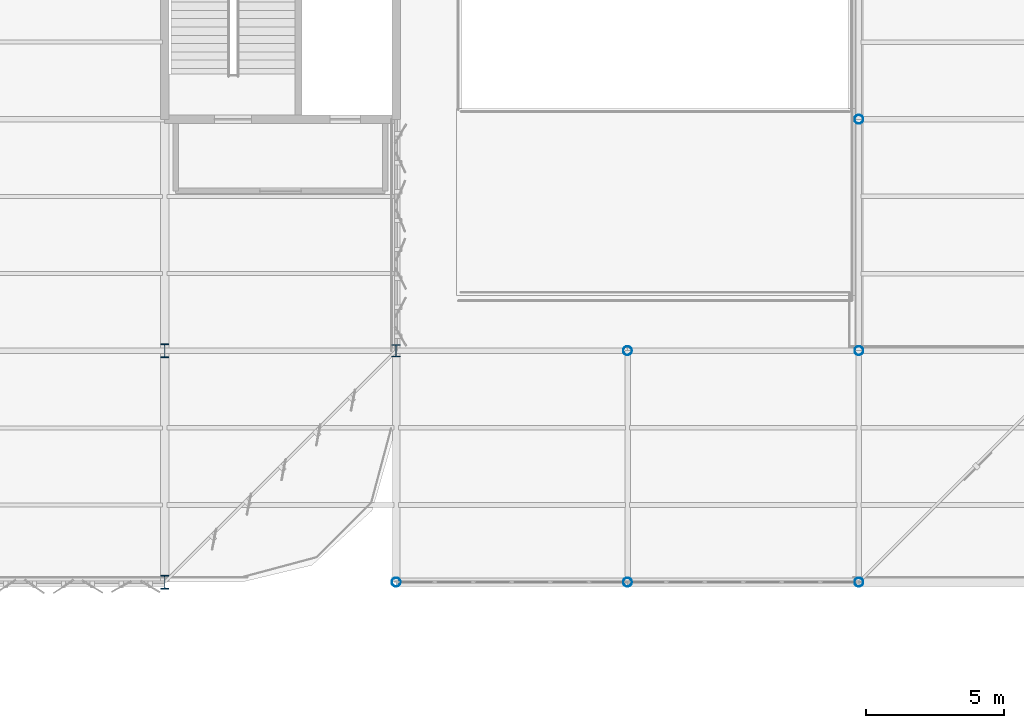
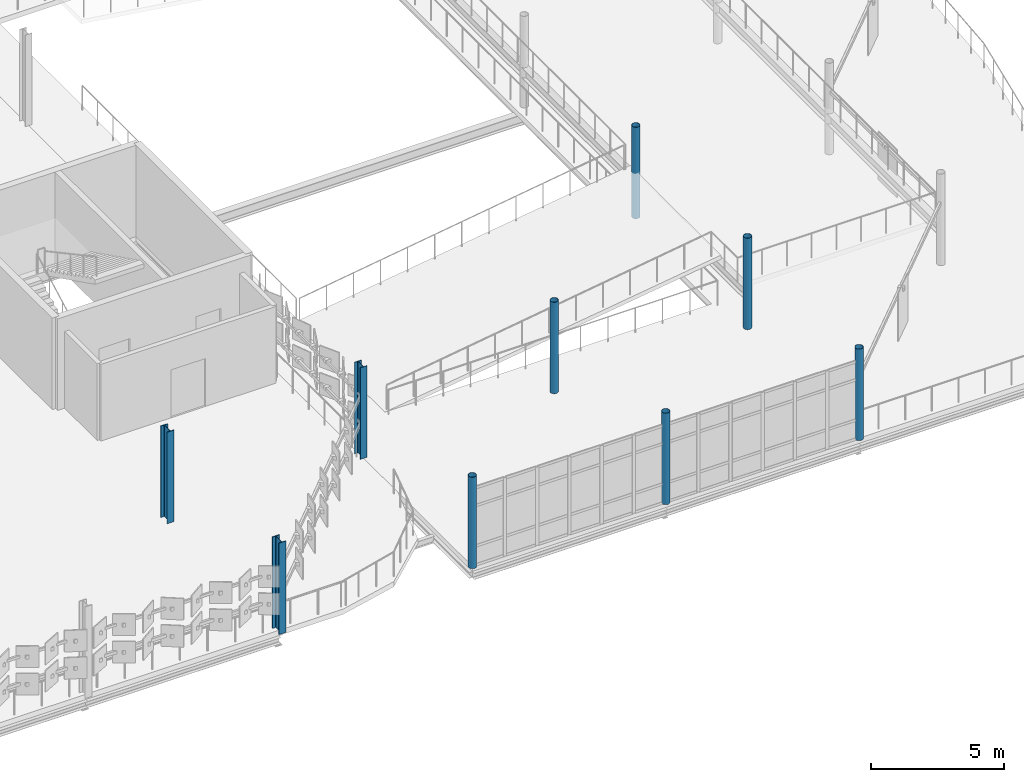
# One storey, part 11 of 69: 9 columns.
"""IFC4 building model written with IfcOpenShell, lengths in metres."""

from ifc_helpers import new_model, si_unit, direction, frame, origin, origin_2d, place, context, subcontext, project, spatial, hollow_circle, i_section, extrude, material, material_profile, profile_set, type_object, element, save


model = new_model("IFC4")

# Units and contexts
model_context = context("Model", 3, precision=1e-05, world=origin(), true_north=direction((0.0, 1.0)))
body_context = subcontext(model_context, "Body", "Model", "MODEL_VIEW")
ifc_project = project(units=[si_unit("LENGTHUNIT", "METRE"), si_unit("AREAUNIT", "SQUARE_METRE"), si_unit("VOLUMEUNIT", "CUBIC_METRE"), si_unit("PLANEANGLEUNIT", "RADIAN"), si_unit("MASSUNIT", "GRAM", prefix="KILO")], contexts=[model_context])

# Site, building, storey
site_placement = place(None, origin())
site = spatial("IfcSite", under=ifc_project, at=site_placement, CompositionType="ELEMENT")
building_placement = place(site_placement, origin())
building = spatial("IfcBuilding", under=site, at=building_placement, Name="Qalvenar Corner Mobility Hub", CompositionType="ELEMENT")
storey_placement = place(building_placement, frame((0.0, 0.0, 13.199951171875)))
storey = spatial("IfcBuildingStorey", under=building, at=storey_placement, Name="L03", CompositionType="ELEMENT", Elevation=13.199951171875)

# Columns
ifc_material = material(Name="Steel S355", Category="steel")
ifc_material_profile_1 = material_profile(ifc_material, hollow_circle(Radius=0.161865234375, WallThickness=0.010009765625, at=origin_2d()), Name="CHS323.9x10")
ifc_profile_set_1 = profile_set([ifc_material_profile_1], Name="Steel S355")
column_type_1 = type_object("IfcColumnType", Name="COL-CHS323", PredefinedType="COLUMN", material=ifc_profile_set_1)
for number, where, z_axis, x_axis, name in (
    (1, (142.800048828125, 67.199951171875, 0.0), (0.0, 0.0, 1.0), (1.0, 0.0, 0.0), "Steel Column L03-G18-8"),
    (2, (151.199951171875, 67.199951171875, 0.0), (0.0, 0.0, 1.0), (1.0, 0.0, 0.0), "Steel Column L03-G19-8"),
    (3, (151.199951171875, 75.60009765625, 0.0), (0.0, 0.0, 1.0), (1.0, 0.0, 0.0), "Steel Column L03-G19-9"),
    (4, (159.60009765625, 67.199951171875, 0.0), (0.0, 0.0, 1.0), (1.0, 0.0, 0.0), "Steel Column L03-G20-8"),
    (5, (159.60009765625, 75.60009765625, 0.0), (0.0, 0.0, 1.0), (1.0, 0.0, 0.0), "Steel Column L03-G20-9"),
    (6, (159.60009765625, 84.0, 0.0), (0.0, 0.0, 1.0), (1.0, 0.0, 0.0), "Steel Column L03-G20-10"),
):
    element("IfcColumn", number, at=place(storey_placement, frame(where, z_axis=z_axis, x_axis=x_axis)), inside=storey, type_object=column_type_1, Name=name, PredefinedType="COLUMN", context=body_context, shape_type="SweptSolid", body=[
        extrude(hollow_circle(Radius=0.161865234375, WallThickness=0.010009765625, at=origin_2d()), origin(), (0.0, 0.0, 1.0), 4.199951171875),
    ])
ifc_material_profile_2 = material_profile(ifc_material, i_section(OverallWidth=0.300048828125, OverallDepth=0.449951171875, WebThickness=0.013916015625, FlangeThickness=0.02587890625, FilletRadius=0.027099609375, at=origin_2d()), Name="HEB450")
ifc_profile_set_2 = profile_set([ifc_material_profile_2], Name="Steel S355")
column_type_2 = type_object("IfcColumnType", Name="COL-HEB450", PredefinedType="COLUMN", material=ifc_profile_set_2)
column_placement = place(storey_placement, frame((142.800048828125, 75.60009765625, 0.0), z_axis=(0.0, 0.0, 1.0), x_axis=(1.0, 0.0, 0.0)))
element("IfcColumn", 7, at=column_placement, inside=storey, type_object=column_type_2, Name="Steel Column L03-G18-9", PredefinedType="COLUMN", context=body_context, shape_type="SweptSolid", body=[
    extrude(i_section(OverallWidth=0.300048828125, OverallDepth=0.449951171875, WebThickness=0.013916015625, FlangeThickness=0.02587890625, FilletRadius=0.027099609375, at=origin_2d()), origin(), (0.0, 0.0, 1.0), 4.199951171875),
])
ifc_material_profile_3 = material_profile(ifc_material, i_section(OverallWidth=0.300048828125, OverallDepth=0.5, WebThickness=0.014404296875, FlangeThickness=0.028076171875, FilletRadius=0.027099609375, at=origin_2d()), Name="HEB500")
ifc_profile_set_3 = profile_set([ifc_material_profile_3], Name="Steel S355")
column_type_3 = type_object("IfcColumnType", Name="COL-HEB500", PredefinedType="COLUMN", material=ifc_profile_set_3)
for number, where, z_axis, x_axis, name in (
    (8, (134.39990234375, 67.199951171875, 0.0), (0.0, 0.0, 1.0), (1.0, 0.0, 0.0), "Steel Column L03-G17-8"),
    (9, (134.39990234375, 75.60009765625, 0.0), (0.0, 0.0, 1.0), (1.0, 0.0, 0.0), "Steel Column L03-G17-9"),
):
    element("IfcColumn", number, at=place(storey_placement, frame(where, z_axis=z_axis, x_axis=x_axis)), inside=storey, type_object=column_type_3, Name=name, PredefinedType="COLUMN", context=body_context, shape_type="SweptSolid", body=[
        extrude(i_section(OverallWidth=0.300048828125, OverallDepth=0.5, WebThickness=0.014404296875, FlangeThickness=0.028076171875, FilletRadius=0.027099609375, at=origin_2d()), origin(), (0.0, 0.0, 1.0), 4.199951171875),
    ])

save(model, "model.ifc")
